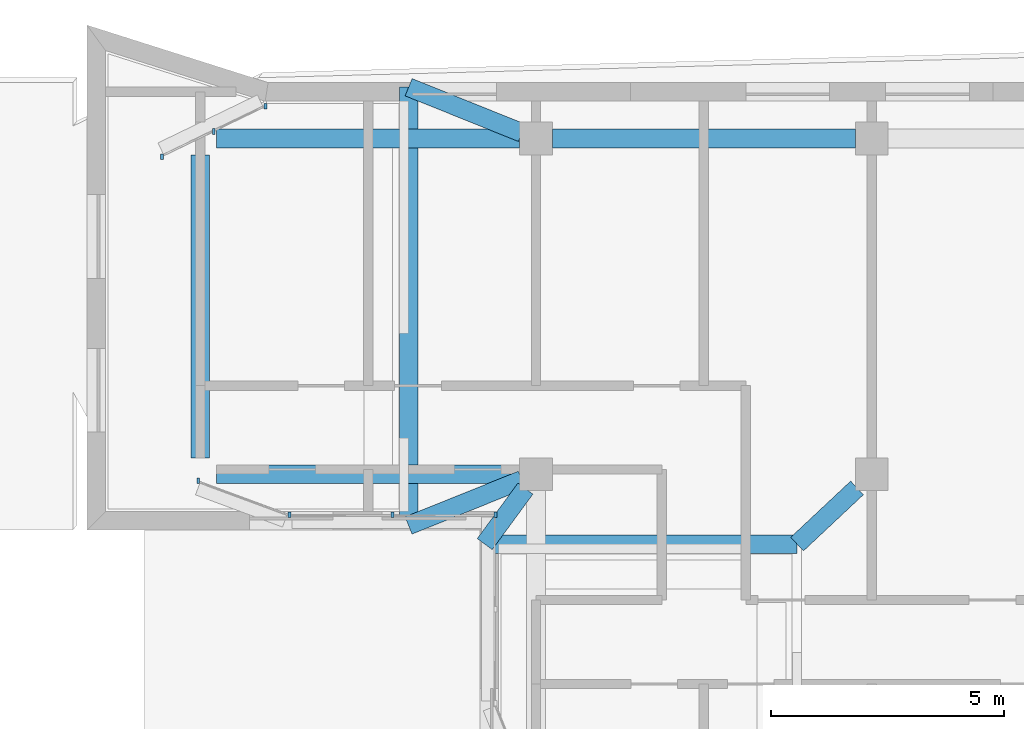
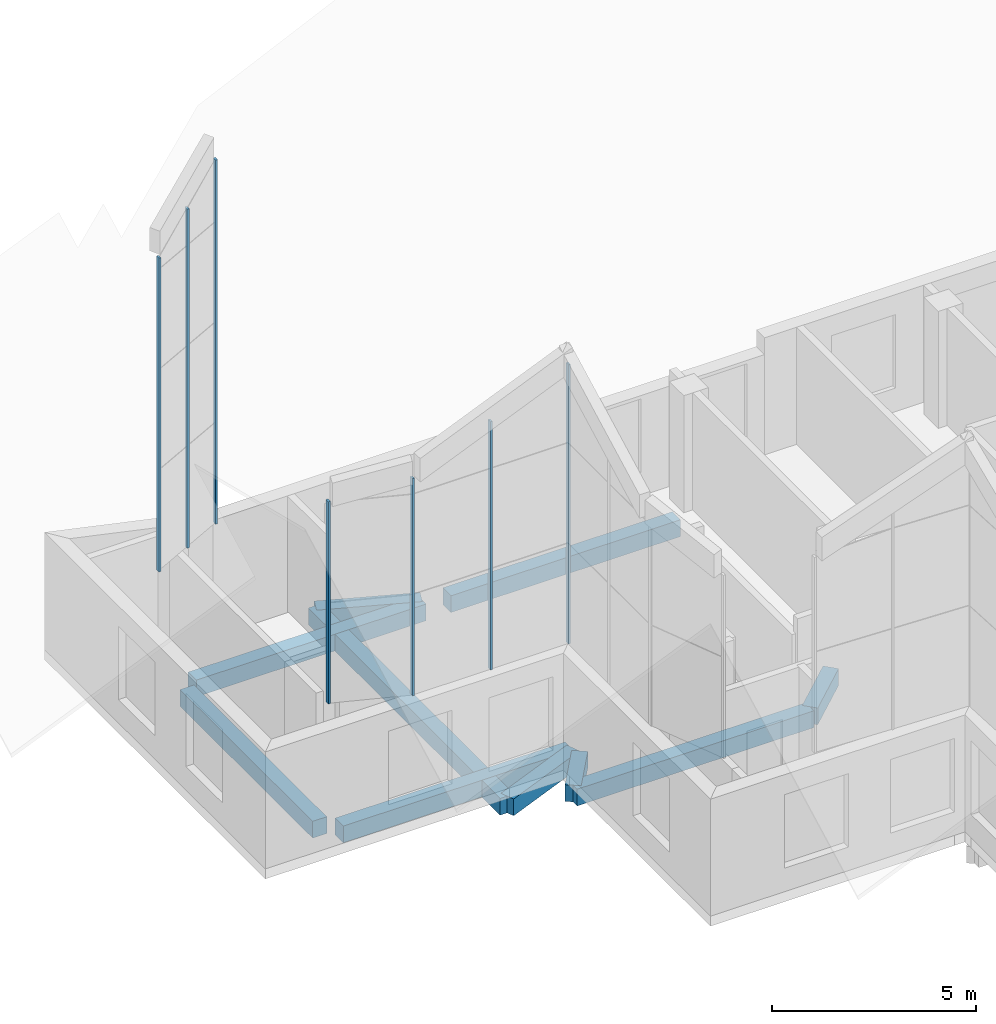
# One storey, part 8 of 20: 10 beams, 7 members, 4 elements without a shape of their own.
"""IFC4 building model written with IfcOpenShell, lengths in metres."""

from ifc_helpers import new_model, si_unit, direction, frame, origin, origin_2d, place, context, subcontext, project, spatial, rectangle, extrude, material, material_profile, profile_set, type_object, element, aggregate, save


model = new_model("IFC4")

# Units and contexts
model_context = context("Model", 3, precision=1e-05, world=origin(), true_north=direction((0.0, 1.0)))
body_context = subcontext(model_context, "Body", "Model", "MODEL_VIEW")
ifc_project = project(units=[si_unit("LENGTHUNIT", "METRE"), si_unit("AREAUNIT", "SQUARE_METRE"), si_unit("VOLUMEUNIT", "CUBIC_METRE"), si_unit("PLANEANGLEUNIT", "RADIAN"), si_unit("MASSUNIT", "GRAM", prefix="KILO")], contexts=[model_context])

# Site, building, storey
site_placement = place(None, origin())
site = spatial("IfcSite", under=ifc_project, at=site_placement, CompositionType="ELEMENT")
building_placement = place(site_placement, origin())
building = spatial("IfcBuilding", under=site, at=building_placement, Name="Windrow Commons", CompositionType="ELEMENT")
storey_placement = place(building_placement, frame((0.0, 0.0, 290.6)))
storey = spatial("IfcBuildingStorey", under=building, at=storey_placement, Name="L79", CompositionType="ELEMENT", Elevation=290.6)

# Curtain wall, members
ifc_material_1 = material(Name="Laminated glass in anodised aluminium frame", Category="aluminium")
curtain_wall_type = type_object("IfcCurtainWallType", Name="Curtain wall crown terrace screen", PredefinedType="USERDEFINED", material=ifc_material_1)
placement = place(storey_placement, origin())
curtain_wall_1 = element("IfcCurtainWall", 1, at=placement, inside=storey, type_object=curtain_wall_type, Name="Glazed crown screen L79", ObjectType="STICK", PredefinedType="USERDEFINED")
ifc_material_2 = material(Name="Anodised aluminium", Category="aluminium")
ifc_material_profile_1 = material_profile(ifc_material_2, rectangle(XDim=0.06, YDim=0.12, at=origin_2d()))
ifc_profile_set_1 = profile_set([ifc_material_profile_1], Name="Anodised aluminium")
member_type = type_object("IfcMemberType", Name="Crown screen mullion 60x120", PredefinedType="MULLION", material=ifc_profile_set_1)
member_1_placement = place(storey_placement, frame((37.9133, 63.93, 3.5), z_axis=(0.0, 0.0, 1.0), x_axis=(1.0, 0.0, 0.0)))
member_1 = element("IfcMember", 2, at=member_1_placement, type_object=member_type, Name="Crown screen mullion L79", PredefinedType="MULLION", context=body_context, shape_type="SweptSolid", body=[
    extrude(rectangle(XDim=0.06, YDim=0.12, at=origin_2d()), origin(), (0.0, 0.0, 1.0), 6.4922),
])
member_2_placement = place(storey_placement, frame((35.9539, 64.6552, 3.5), z_axis=(0.0, 0.0, 1.0), x_axis=(1.0, 0.0, 0.0)))
member_2 = element("IfcMember", 3, at=member_2_placement, type_object=member_type, Name="Crown screen mullion L79", PredefinedType="MULLION", context=body_context, shape_type="SweptSolid", body=[
    extrude(rectangle(XDim=0.06, YDim=0.12, at=origin_2d()), origin(), (0.0, 0.0, 1.0), 6.0486),
])
aggregate(curtain_wall_1, [member_1, member_2])

curtain_wall_2 = element("IfcCurtainWall", 4, at=placement, inside=storey, type_object=curtain_wall_type, Name="Glazed crown screen L79", ObjectType="STICK", PredefinedType="USERDEFINED")
member_3_placement = place(storey_placement, frame((35.1769, 71.6131, 3.5), z_axis=(0.0, 0.0, 1.0), x_axis=(1.0, 0.0, 0.0)))
member_3 = element("IfcMember", 5, at=member_3_placement, type_object=member_type, Name="Crown screen mullion L79", PredefinedType="MULLION", context=body_context, shape_type="SweptSolid", body=[
    extrude(rectangle(XDim=0.06, YDim=0.12, at=origin_2d()), origin(), (0.0, 0.0, 1.0), 9.3859),
])
member_4_placement = place(storey_placement, frame((36.2879, 72.1506, 3.5), z_axis=(0.0, 0.0, 1.0), x_axis=(1.0, 0.0, 0.0)))
member_4 = element("IfcMember", 6, at=member_4_placement, type_object=member_type, Name="Crown screen mullion L79", PredefinedType="MULLION", context=body_context, shape_type="SweptSolid", body=[
    extrude(rectangle(XDim=0.06, YDim=0.12, at=origin_2d()), origin(), (0.0, 0.0, 1.0), 10.1371),
])
member_5_placement = place(storey_placement, frame((37.3988, 72.6881, 3.5), z_axis=(0.0, 0.0, 1.0), x_axis=(1.0, 0.0, 0.0)))
member_5 = element("IfcMember", 7, at=member_5_placement, type_object=member_type, Name="Crown screen mullion L79", PredefinedType="MULLION", context=body_context, shape_type="SweptSolid", body=[
    extrude(rectangle(XDim=0.06, YDim=0.12, at=origin_2d()), origin(), (0.0, 0.0, 1.0), 10.8884),
])
aggregate(curtain_wall_2, [member_3, member_4, member_5])

# Curtain wall, member
curtain_wall_3 = element("IfcCurtainWall", 8, at=placement, inside=storey, type_object=curtain_wall_type, Name="Glazed crown screen L79", ObjectType="STICK", PredefinedType="USERDEFINED")
member_6_placement = place(storey_placement, frame((42.33, 63.93, 3.5), z_axis=(0.0, 0.0, 1.0), x_axis=(1.0, 0.0, 0.0)))
member_6 = element("IfcMember", 9, at=member_6_placement, type_object=member_type, Name="Crown screen mullion L79", PredefinedType="MULLION", context=body_context, shape_type="SweptSolid", body=[
    extrude(rectangle(XDim=0.06, YDim=0.12, at=origin_2d()), origin(), (0.0, 0.0, 1.0), 8.3533),
])
aggregate(curtain_wall_3, [member_6])

curtain_wall_4 = element("IfcCurtainWall", 10, at=placement, inside=storey, type_object=curtain_wall_type, Name="Glazed crown screen L79", ObjectType="STICK", PredefinedType="USERDEFINED")
member_7_placement = place(storey_placement, frame((40.1217, 63.93, 3.5), z_axis=(0.0, 0.0, 1.0), x_axis=(1.0, 0.0, 0.0)))
member_7 = element("IfcMember", 11, at=member_7_placement, type_object=member_type, Name="Crown screen mullion L79", PredefinedType="MULLION", context=body_context, shape_type="SweptSolid", body=[
    extrude(rectangle(XDim=0.06, YDim=0.12, at=origin_2d()), origin(), (0.0, 0.0, 1.0), 7.4228),
])
aggregate(curtain_wall_4, [member_7])

# Beams
ifc_material_3 = material(Name="Concrete C40/50", Category="concrete")
ifc_material_profile_2 = material_profile(ifc_material_3, rectangle(XDim=0.4, YDim=0.5, at=origin_2d()))
ifc_profile_set_2 = profile_set([ifc_material_profile_2], Name="Concrete C40/50")
beam_type = type_object("IfcBeamType", Name="RC EDGE BEAM 400x500 C40/50", PredefinedType="SPANDREL", material=ifc_profile_set_2)
beam_1_placement = place(storey_placement, frame((40.467, 73.1, -0.55), z_axis=(0.0, -1.0, 0.0), x_axis=(1.0, 0.0, 0.0)))
element("IfcBeam", 12, at=beam_1_placement, inside=storey, type_object=beam_type, Name="Terrace base beam TR-L79-1", PredefinedType="SPANDREL", context=body_context, shape_type="SweptSolid", body=[
    extrude(rectangle(XDim=0.4, YDim=0.5, at=origin_2d()), origin(), (0.0, 0.0, 1.0), 9.4),
])
for number, where, z_axis, x_axis, name in (
    (13, (42.8964, 72.1222, -0.55), (-0.9276792496, 0.3733781058, 0.0), (-0.3733781058, -0.9276792496, 0.0), "Terrace base bracket beam TR-L79-1.1"),
    (14, (42.8964, 64.6778, -0.55), (-0.9276792496, -0.3733781058, 0.0), (0.3733781058, -0.9276792496, 0.0), "Terrace base bracket beam TR-L79-1.2"),
):
    element("IfcBeam", number, at=place(storey_placement, frame(where, z_axis=z_axis, x_axis=x_axis)), inside=storey, type_object=beam_type, Name=name, PredefinedType="SPANDREL", context=body_context, shape_type="SweptSolid", body=[
        extrude(rectangle(XDim=0.4, YDim=0.5, at=origin_2d()), origin(), (0.0, 0.0, 1.0), 2.6188),
    ])
beam_2_placement = place(storey_placement, frame((42.1, 63.3, -0.55), z_axis=(1.0, 0.0, 0.0), x_axis=(0.0, 1.0, 0.0)))
element("IfcBeam", 15, at=beam_2_placement, inside=storey, type_object=beam_type, Name="Terrace base beam TR-L79-2", PredefinedType="SPANDREL", context=body_context, shape_type="SweptSolid", body=[
    extrude(rectangle(XDim=0.4, YDim=0.5, at=origin_2d()), origin(), (0.0, 0.0, 1.0), 6.7),
])
beam_3_placement = place(storey_placement, frame((42.9729, 64.4903, -0.55), z_axis=(-0.5913695377, -0.8064006882, 0.0), x_axis=(0.8064006882, -0.5913695377, 0.0)))
element("IfcBeam", 16, at=beam_3_placement, inside=storey, type_object=beam_type, Name="Terrace base bracket beam TR-L79-2.1", PredefinedType="SPANDREL", context=body_context, shape_type="SweptSolid", body=[
    extrude(rectangle(XDim=0.4, YDim=0.5, at=origin_2d()), origin(), (0.0, 0.0, 1.0), 1.4761),
])
beam_4_placement = place(storey_placement, frame((50.0865, 64.5061, -0.55), z_axis=(-0.7295354357, -0.6839430152, 0.0), x_axis=(0.6839430152, -0.7295354357, 0.0)))
element("IfcBeam", 17, at=beam_4_placement, inside=storey, type_object=beam_type, Name="Terrace base bracket beam TR-L79-2.2", PredefinedType="SPANDREL", context=body_context, shape_type="SweptSolid", body=[
    extrude(rectangle(XDim=0.4, YDim=0.5, at=origin_2d()), origin(), (0.0, 0.0, 1.0), 1.7635),
])
for number, where, z_axis, x_axis, name in (
    (18, (42.85, 64.8, -0.55), (-1.0, 0.0, 0.0), (0.0, -1.0, 0.0), "Edge beam L79 004"),
    (19, (36.0, 65.15, -0.55), (0.0, 1.0, 0.0), (-1.0, 0.0, 0.0), "Edge beam L79 005"),
    (20, (36.35, 72.0, -0.55), (1.0, 0.0, 0.0), (0.0, 1.0, 0.0), "Edge beam L79 006"),
    (21, (43.55, 72.0, -0.55), (1.0, 0.0, 0.0), (0.0, 1.0, 0.0), "Edge beam L79 007"),
):
    element("IfcBeam", number, at=place(storey_placement, frame(where, z_axis=z_axis, x_axis=x_axis)), inside=storey, type_object=beam_type, Name=name, PredefinedType="SPANDREL", context=body_context, shape_type="SweptSolid", body=[
        extrude(rectangle(XDim=0.4, YDim=0.5, at=origin_2d()), origin(), (0.0, 0.0, 1.0), 6.5),
    ])

save(model, "model.ifc")
